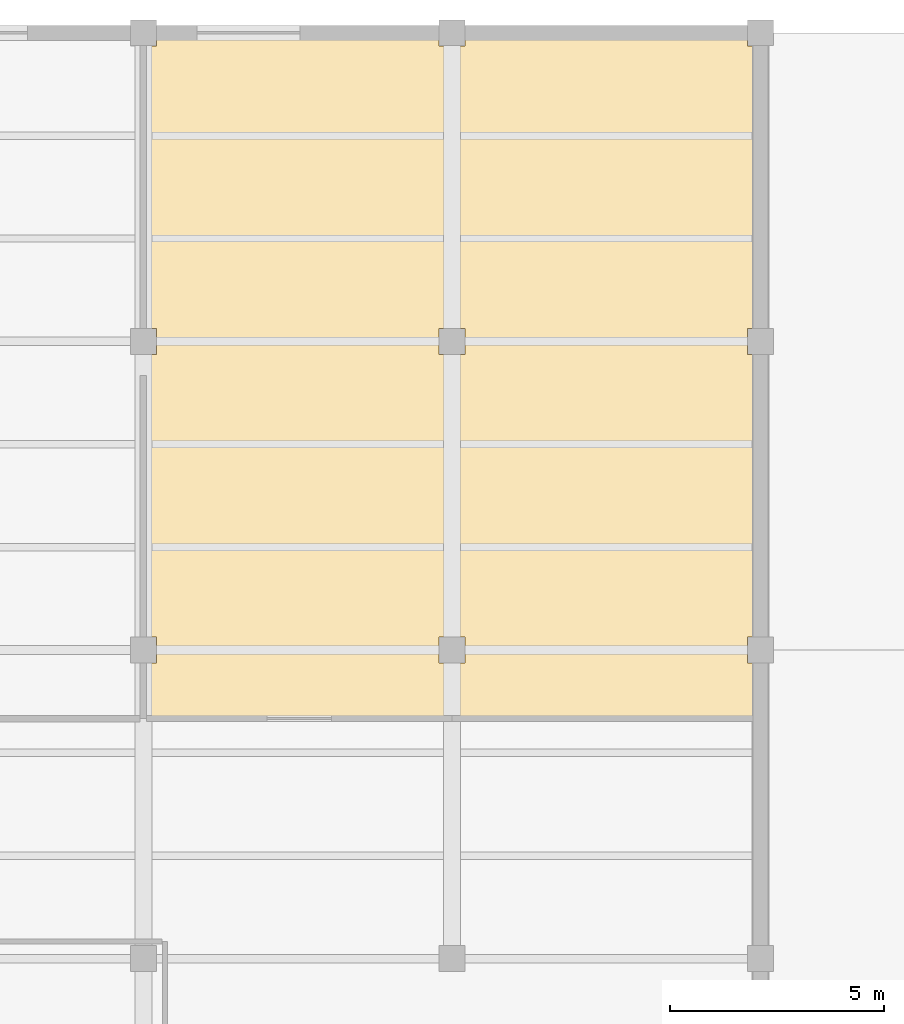
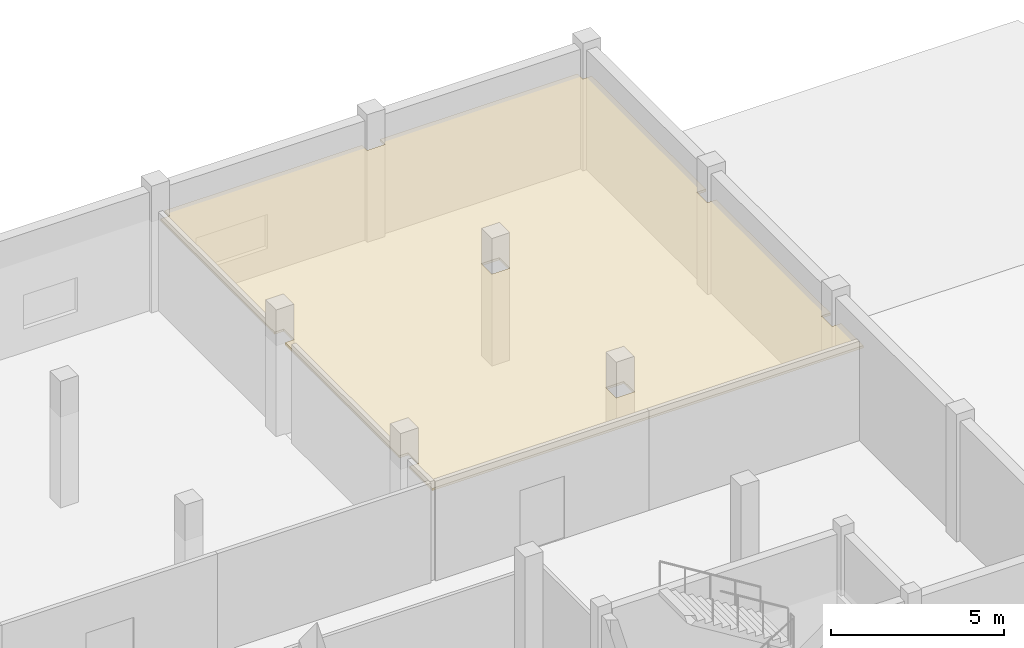
# One storey, part 76 of 76: 1 covering.
"""IFC4 building model written with IfcOpenShell, lengths in metres."""

from ifc_helpers import new_model, si_unit, direction, frame, origin, place, context, subcontext, project, spatial, polyline, outline, extrude, material, layer, layer_set, type_object, element, save


model = new_model("IFC4")

# Units and contexts
model_context = context("Model", 3, precision=1e-05, world=origin(), true_north=direction((0.0, 1.0)))
body_context = subcontext(model_context, "Body", "Model", "MODEL_VIEW")
ifc_project = project(units=[si_unit("LENGTHUNIT", "METRE"), si_unit("AREAUNIT", "SQUARE_METRE"), si_unit("VOLUMEUNIT", "CUBIC_METRE"), si_unit("PLANEANGLEUNIT", "RADIAN"), si_unit("MASSUNIT", "GRAM", prefix="KILO"), si_unit("THERMODYNAMICTEMPERATUREUNIT", "KELVIN"), si_unit("POWERUNIT", "WATT")], contexts=[model_context])

# Site, building, storey
site_placement = place(None, origin())
site = spatial("IfcSite", under=ifc_project, at=site_placement, CompositionType="ELEMENT")
building_placement = place(site_placement, origin())
building = spatial("IfcBuilding", under=site, at=building_placement, Name="Kaldorven Railside Theatre", CompositionType="ELEMENT")
storey_placement = place(building_placement, frame((0.0, 0.0, 14.39990234375)))
storey = spatial("IfcBuildingStorey", under=building, at=storey_placement, Name="L03", CompositionType="ELEMENT", Elevation=14.39990234375)

# Covering
ifc_material = material(Name="Acoustic hardwood timber", Category="wood")
ifc_layer = layer(ifc_material, 0.080078125, Name="Acoustic hardwood timber")
ifc_layer_set = layer_set([ifc_layer], Name="Acoustic hardwood timber")
covering_type = type_object("IfcCoveringType", Name="COV-CLG-02", PredefinedType="CEILING", material=ifc_layer_set)
covering_placement = place(storey_placement, frame((0.0, 0.0, 3.170166015625)))
element("IfcCovering", 1, at=covering_placement, inside=storey, type_object=covering_type, Name="Drama Studio Upper Acoustic Ceiling 022", PredefinedType="CEILING", context=body_context, shape_type="SweptSolid", body=[
    extrude(outline(polyline([(166.39990234375, 125.60009765625), (152.0, 125.60009765625), (152.0, 126.89794921875), (152.302001953125, 126.89794921875), (152.302001953125, 127.501953125), (152.0, 127.501953125), (152.0, 134.097900390625), (152.302001953125, 134.097900390625), (152.302001953125, 134.701904296875), (152.0, 134.701904296875), (152.0, 141.298095703125), (152.302001953125, 141.298095703125), (152.302001953125, 141.60009765625), (158.89794921875, 141.60009765625), (158.89794921875, 141.298095703125), (159.501953125, 141.298095703125), (159.501953125, 141.60009765625), (166.097900390625, 141.60009765625), (166.097900390625, 141.298095703125), (166.39990234375, 141.298095703125), (166.39990234375, 134.701904296875), (166.097900390625, 134.701904296875), (166.097900390625, 134.097900390625), (166.39990234375, 134.097900390625), (166.39990234375, 127.501953125), (166.097900390625, 127.501953125), (166.097900390625, 126.89794921875), (166.39990234375, 126.89794921875), (166.39990234375, 125.60009765625)]), holes=[polyline([(158.89794921875, 127.501953125), (158.89794921875, 126.89794921875), (159.501953125, 126.89794921875), (159.501953125, 127.501953125), (158.89794921875, 127.501953125)]), polyline([(158.89794921875, 134.701904296875), (158.89794921875, 134.097900390625), (159.501953125, 134.097900390625), (159.501953125, 134.701904296875), (158.89794921875, 134.701904296875)])]), origin(), (0.0, 0.0, 1.0), 0.079833984375),
])

save(model, "model.ifc")
